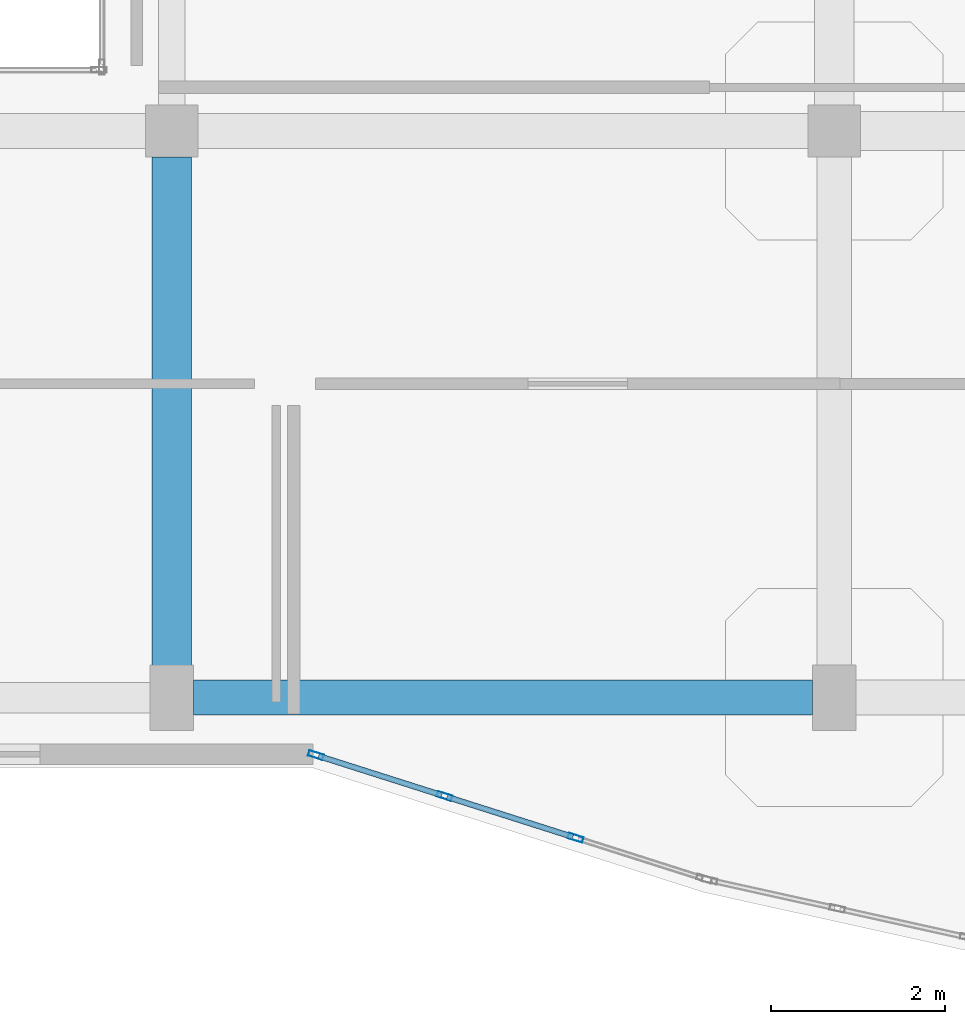
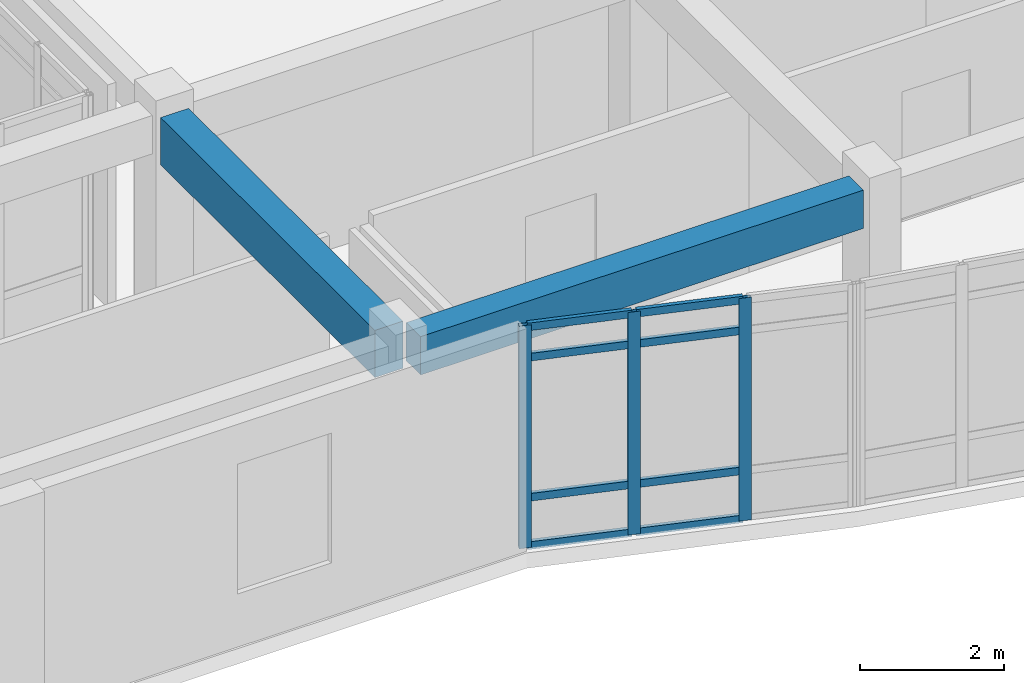
# One storey, part 43 of 91: 11 members, 2 beams, 1 element without a shape of its own.
"""IFC4 building model written with IfcOpenShell, lengths in metres."""

import ifcopenshell
import ifcopenshell.guid

model = None  # the IFC model being written
_history = None  # IfcOwnerHistory: only IFC2X3 demands one
_inside = {}  # id of a spatial element -> (the spatial element, [elements in it])
_under = {}  # id of a project, library or spatial element -> (it, [spatial elements below it])
_declared = {}  # id of a project -> (the project, [libraries it declares])
_typed = {}  # id of a type object -> (the type object, [elements of that type])
_made_of = {}  # id of a material, layer set ... -> (it, [elements and type objects made of it])


def new_model(schema):
    """Start an empty IFC model of exactly this schema.

    Asked for "IFC4X3", IfcOpenShell would pick the latest addendum, in which some entities
    have other attributes; the version numbers below select the first issue.
    IFC2X3 requires an IfcOwnerHistory on every rooted entity: one is made here for all.
    """
    global model, _history
    if schema == "IFC4X3":
        model = ifcopenshell.file(schema_version=(4, 3, 0, 0))
    else:
        model = ifcopenshell.file(schema=schema)
    _inside.clear()
    _under.clear()
    _declared.clear()
    _typed.clear()
    _made_of.clear()
    _history = None
    if model.schema == "IFC2X3":
        org = make("IfcOrganization", Name="unknown")
        user = make(
            "IfcPersonAndOrganization",
            ThePerson=make("IfcPerson", FamilyName="unknown"),
            TheOrganization=org,
        )
        app = make(
            "IfcApplication",
            ApplicationDeveloper=org,
            Version="unknown",
            ApplicationFullName="unknown",
            ApplicationIdentifier="unknown",
        )
        _history = make(
            "IfcOwnerHistory",
            OwningUser=user,
            OwningApplication=app,
            ChangeAction="ADDED",
            CreationDate=0,
        )
    return model


def make(cls, **values):
    """One entity of the class cls with the attributes given. An attribute that is None is left unset."""
    return model.create_entity(
        cls, **{name: value for name, value in values.items() if value is not None}
    )


def rooted(cls, **values):
    """An entity with a GlobalId (a new one), such as an element, a storey or a relation."""
    return make(cls, GlobalId=ifcopenshell.guid.new(), OwnerHistory=_history, **values)


def si_unit(unit_type, name, prefix=None):
    """IfcSIUnit, for example si_unit("LENGTHUNIT", "METRE", prefix="MILLI")."""
    return make("IfcSIUnit", UnitType=unit_type, Prefix=prefix, Name=name)


def assignment(units):
    """IfcUnitAssignment: the units of a project."""
    return None if units is None else make("IfcUnitAssignment", Units=units)


def point(xyz):
    """IfcCartesianPoint."""
    return None if xyz is None else make("IfcCartesianPoint", Coordinates=xyz)


def direction(xyz):
    """IfcDirection."""
    return None if xyz is None else make("IfcDirection", DirectionRatios=xyz)


def frame(location, z_axis=None, x_axis=None):
    """IfcAxis2Placement3D, a coordinate frame: its origin and axes. An axis left out is left unset."""
    return make(
        "IfcAxis2Placement3D",
        Location=point(location),
        Axis=direction(z_axis),
        RefDirection=direction(x_axis),
    )


def frame_2d(location, x_axis=None):
    """IfcAxis2Placement2D, a coordinate frame in the plane: its origin and x axis."""
    return make(
        "IfcAxis2Placement2D", Location=point(location), RefDirection=direction(x_axis)
    )


def origin():
    """The frame at (0, 0, 0) with its axes left unset."""
    return frame((0.0, 0.0, 0.0))


def origin_2d():
    """The frame at (0, 0) in the plane with its x axis left unset."""
    return frame_2d((0.0, 0.0))


def place(relative_to, where):
    """IfcLocalPlacement: puts the frame where relative to a parent placement (None: the world)."""
    return make(
        "IfcLocalPlacement", PlacementRelTo=relative_to, RelativePlacement=where
    )


def context(
    kind, dimensions, precision=None, world=None, true_north=None, identifier=None
):
    """IfcGeometricRepresentationContext, for example the 3D "Model" context."""
    return make(
        "IfcGeometricRepresentationContext",
        ContextIdentifier=identifier,
        ContextType=kind,
        CoordinateSpaceDimension=dimensions,
        Precision=precision,
        WorldCoordinateSystem=world,
        TrueNorth=true_north,
    )


def subcontext(parent, identifier, kind, view, scale=None):
    """IfcGeometricRepresentationSubContext, for example "Body" below "Model"."""
    return make(
        "IfcGeometricRepresentationSubContext",
        ContextIdentifier=identifier,
        ContextType=kind,
        ParentContext=parent,
        TargetScale=scale,
        TargetView=view,
    )


def project(units=None, contexts=None):
    """IfcProject with its units and contexts."""
    return rooted(
        "IfcProject",
        Name="project",
        RepresentationContexts=contexts,
        UnitsInContext=assignment(units),
    )


def spatial(cls, under=None, at=None, **own):
    """A site, building, storey or space (cls), placed at a placement, below another one or the project."""
    s = rooted(cls, ObjectPlacement=at, **own)
    if under is not None:
        _under.setdefault(under.id(), (under, []))[1].append(s)
    return s


def profile(cls, at=None, kind="AREA", **sizes):
    """A parametric profile (cls). Its sizes go by their IFC names, for example OverallWidth=200.0."""
    return make(cls, ProfileType=kind, Position=at, **sizes)


def rectangle(**sizes):
    """IfcRectangleProfileDef."""
    return profile("IfcRectangleProfileDef", **sizes)


def hollow_rectangle(**sizes):
    """IfcRectangleHollowProfileDef."""
    return profile("IfcRectangleHollowProfileDef", **sizes)


def extrude(swept, where, along, depth):
    """IfcExtrudedAreaSolid: the profile swept, set in the frame where, extruded along a direction by depth."""
    return make(
        "IfcExtrudedAreaSolid",
        SweptArea=swept,
        Position=where,
        ExtrudedDirection=direction(along),
        Depth=depth,
    )


def shape(context_of_items, identifier, shape_type, items):
    """IfcShapeRepresentation: the items that make up one representation, for example the "Body"."""
    return make(
        "IfcShapeRepresentation",
        ContextOfItems=context_of_items,
        RepresentationIdentifier=identifier,
        RepresentationType=shape_type,
        Items=items,
    )


def material(Name=None, Category=None):
    """IfcMaterial."""
    return make("IfcMaterial", Name=Name, Category=Category)


def layer(
    of_material, thickness, ventilated=None, Name=None, Category=None, Priority=None
):
    """IfcMaterialLayer: one layer of a wall or slab, of a material (None: an air gap)."""
    return make(
        "IfcMaterialLayer",
        Material=of_material,
        LayerThickness=thickness,
        IsVentilated=ventilated,
        Name=Name,
        Category=Category,
        Priority=Priority,
    )


def layer_set(layers, Name=None):
    """IfcMaterialLayerSet."""
    return make("IfcMaterialLayerSet", MaterialLayers=layers, LayerSetName=Name)


def material_profile(
    of_material, cross_section, Name=None, Category=None, Priority=None
):
    """IfcMaterialProfile: a cross section and its material."""
    return make(
        "IfcMaterialProfile",
        Name=Name,
        Material=of_material,
        Profile=cross_section,
        Priority=Priority,
        Category=Category,
    )


def profile_set(profiles, Name=None, composite=None):
    """IfcMaterialProfileSet."""
    return make(
        "IfcMaterialProfileSet",
        Name=Name,
        MaterialProfiles=profiles,
        CompositeProfile=composite,
    )


def made_of(thing, what):
    """Note that an element or type object is made of a material, layer set ...; save() writes the relation."""
    if what is not None:
        _made_of.setdefault(what.id(), (what, []))[1].append(thing)
    return thing


def type_object(cls, material=None, **own):
    """A type object (cls), such as IfcWallType, which elements share."""
    return made_of(rooted(cls, **own), material)


def element(
    cls,
    number,
    at=None,
    inside=None,
    cuts=None,
    type_object=None,
    material=None,
    context=None,
    identifier="Body",
    shape_type=None,
    held_by="IfcProductDefinitionShape",
    body=None,
    shapes=None,
    **own,
):
    """One element of the class cls, such as IfcWall. Its Tag is "e" and its number.

    at: its placement. inside: the storey or other place that contains it. cuts: it is an
    opening in that element (IfcRelVoidsElement). A single representation is given by context,
    identifier, shape_type and body (its items); several are given by shapes. held_by: the class
    of the entity that holds the representations. save() writes the other relations.
    """
    e = rooted(cls, Tag="e%d" % number, ObjectPlacement=at, **own)
    if body is not None:
        shapes = [shape(context, identifier, shape_type, body)]
    if shapes is not None:
        e.Representation = make(held_by, Representations=shapes)
    if inside is not None:
        _inside.setdefault(inside.id(), (inside, []))[1].append(e)
    if cuts is not None:
        rooted(
            "IfcRelVoidsElement", RelatingBuildingElement=cuts, RelatedOpeningElement=e
        )
    if type_object is not None:
        _typed.setdefault(type_object.id(), (type_object, []))[1].append(e)
    return made_of(e, material)


def aggregate(whole, parts):
    """IfcRelAggregates: a whole, such as a stair, and the parts it consists of."""
    return rooted("IfcRelAggregates", RelatingObject=whole, RelatedObjects=parts)


def save(model, path):
    """Write the relations noted so far, then the file.

    IfcRelAggregates (storeys below a building ...), IfcRelContainedInSpatialStructure (elements
    in a storey), IfcRelDefinesByType, IfcRelAssociatesMaterial and IfcRelDeclares: one each for
    every whole, place, type object, material and project.
    """
    for whole, parts in _under.values():
        aggregate(whole, parts)
    for where, things in _inside.values():
        rooted(
            "IfcRelContainedInSpatialStructure",
            RelatedElements=things,
            RelatingStructure=where,
        )
    for kind, things in _typed.values():
        rooted("IfcRelDefinesByType", RelatedObjects=things, RelatingType=kind)
    for what, things in _made_of.values():
        rooted("IfcRelAssociatesMaterial", RelatedObjects=things, RelatingMaterial=what)
    for by, libraries in _declared.values():
        rooted("IfcRelDeclares", RelatingContext=by, RelatedDefinitions=libraries)
    model.write(path)


model = new_model("IFC4")

# Units and contexts
model_context = context("Model", 3, precision=1e-05, world=origin(), true_north=direction((0.0, 1.0)))
body_context = subcontext(model_context, "Body", "Model", "MODEL_VIEW")
ifc_project = project(units=[si_unit("LENGTHUNIT", "METRE"), si_unit("AREAUNIT", "SQUARE_METRE"), si_unit("VOLUMEUNIT", "CUBIC_METRE"), si_unit("PLANEANGLEUNIT", "RADIAN"), si_unit("MASSUNIT", "GRAM", prefix="KILO")], contexts=[model_context])

# Site, building, storey
site_placement = place(None, origin())
site = spatial("IfcSite", under=ifc_project, at=site_placement, CompositionType="ELEMENT")
building_placement = place(site_placement, origin())
building = spatial("IfcBuilding", under=site, at=building_placement, Name="Valcora Specialist Clinic", CompositionType="ELEMENT")
storey_placement = place(building_placement, frame((0.0, 0.0, 13.60009765625)))
storey = spatial("IfcBuildingStorey", under=building, at=storey_placement, Name="L03", CompositionType="ELEMENT", Elevation=13.60009765625)

# Beams
ifc_material_1 = material(Name="Concrete C40/50", Category="concrete")
ifc_material_profile_1 = material_profile(ifc_material_1, rectangle(XDim=0.39990234375, YDim=0.64990234375, at=origin_2d()), Name="RC-BM-400X650")
ifc_profile_set_1 = profile_set([ifc_material_profile_1], Name="Concrete C40/50")
beam_type_1 = type_object("IfcBeamType", Name="TY-BM-RC400X650", PredefinedType="BEAM", material=ifc_profile_set_1)
beam_1_placement = place(storey_placement, frame((91.050048828125, 74.800048828125, 3.449951171875), z_axis=(1.0, 0.0, 0.0), x_axis=(0.0, 1.0, 0.0)))
element("IfcBeam", 1, at=beam_1_placement, inside=storey, type_object=beam_type_1, Name="Beam BM-L03-0771", PredefinedType="BEAM", context=body_context, shape_type="SweptSolid", body=[
    extrude(rectangle(XDim=0.39990234375, YDim=0.64990234375, at=origin_2d()), origin(), (0.0, 0.0, 1.0), 7.099853515625),
])
ifc_material_profile_2 = material_profile(ifc_material_1, rectangle(XDim=0.449951171875, YDim=0.800048828125, at=origin_2d()), Name="RC-BM-450X800")
ifc_profile_set_2 = profile_set([ifc_material_profile_2], Name="Concrete C40/50")
beam_type_2 = type_object("IfcBeamType", Name="TY-BM-RC450X800", PredefinedType="BEAM", material=ifc_profile_set_2)
beam_2_placement = place(storey_placement, frame((90.800048828125, 75.050048828125, 3.375), z_axis=(0.0, 1.0, 0.0), x_axis=(-1.0, 0.0, 0.0)))
element("IfcBeam", 2, at=beam_2_placement, inside=storey, type_object=beam_type_2, Name="Beam BM-L03-0814", PredefinedType="BEAM", context=body_context, shape_type="SweptSolid", body=[
    extrude(rectangle(XDim=0.449951171875, YDim=0.800048828125, at=origin_2d()), origin(), (0.0, 0.0, 1.0), 5.949951171875),
])

# Curtain wall, members
ifc_material_2 = material(Name="Anodized Bronze Aluminium 6063-T6", Category="aluminium")
ifc_layer = layer(ifc_material_2, 0.175048828125)
ifc_layer_set = layer_set([ifc_layer], Name="Anodized Bronze Aluminium 6063-T6")
curtain_wall_type = type_object("IfcCurtainWallType", Name="TY-CW-ARC40", PredefinedType="NOTDEFINED", material=ifc_layer_set)
curtain_wall_placement = place(storey_placement, origin())
curtain_wall = element("IfcCurtainWall", 3, at=curtain_wall_placement, inside=storey, type_object=curtain_wall_type, Name="Curtain wall CW-L03-124", PredefinedType="NOTDEFINED")
ifc_material_profile_3 = material_profile(ifc_material_2, hollow_rectangle(XDim=0.06494140625, YDim=0.175048828125, WallThickness=0.00390625, at=origin_2d()), Name="AL-MUL-65X175")
ifc_profile_set_3 = profile_set([ifc_material_profile_3], Name="Anodized Bronze Aluminium 6063-T6")
member_type_1 = type_object("IfcMemberType", Name="TY-CWM-65X175", PredefinedType="MULLION", material=ifc_profile_set_3)
member_1_placement = place(storey_placement, frame((95.433837890625, 73.19189453125, 0.0), z_axis=(0.0, 0.0, 1.0), x_axis=(-0.303233270958, -0.952916356972, 0.0)))
member_1 = element("IfcMember", 4, at=member_1_placement, type_object=member_type_1, Name="CW-ARC-40 mullion 2", PredefinedType="MULLION", context=body_context, shape_type="SweptSolid", body=[
    extrude(hollow_rectangle(XDim=0.06494140625, YDim=0.175048828125, WallThickness=0.00390625, at=origin_2d()), origin(), (0.0, 0.0, 1.0), 3.77490234375),
])
member_2_placement = place(storey_placement, frame((93.928466796875, 73.6708984375, 0.0), z_axis=(0.0, 0.0, 1.0), x_axis=(-0.303233270958, -0.952916356972, 0.0)))
member_2 = element("IfcMember", 5, at=member_2_placement, type_object=member_type_1, Name="CW-ARC-40 mullion 3", PredefinedType="MULLION", context=body_context, shape_type="SweptSolid", body=[
    extrude(hollow_rectangle(XDim=0.06494140625, YDim=0.175048828125, WallThickness=0.00390625, at=origin_2d()), origin(), (0.0, 0.0, 1.0), 3.77490234375),
])
member_3_placement = place(storey_placement, frame((92.454345703125, 74.14013671875, 0.0), z_axis=(0.0, 0.0, 1.0), x_axis=(-0.303233270958, -0.952916356972, 0.0)))
member_3 = element("IfcMember", 6, at=member_3_placement, type_object=member_type_1, Name="CW-ARC-40 mullion 4", PredefinedType="MULLION", context=body_context, shape_type="SweptSolid", body=[
    extrude(hollow_rectangle(XDim=0.06494140625, YDim=0.175048828125, WallThickness=0.00390625, at=origin_2d()), origin(), (0.0, 0.0, 1.0), 3.77490234375),
])
ifc_material_profile_4 = material_profile(ifc_material_2, hollow_rectangle(XDim=0.06494140625, YDim=0.1298828125, WallThickness=0.00390625, at=origin_2d()), Name="AL-TRN-65X130")
ifc_profile_set_4 = profile_set([ifc_material_profile_4], Name="Anodized Bronze Aluminium 6063-T6")
member_type_2 = type_object("IfcMemberType", Name="TY-CWT-65X130", PredefinedType="USERDEFINED", material=ifc_profile_set_4)
member_4_placement = place(storey_placement, frame((95.40283203125, 73.201904296875, 0.032470703125), z_axis=(-0.952930013692, 0.303190351109, 0.0), x_axis=(-0.303190351109, -0.952930013692, 0.0)))
member_4 = element("IfcMember", 7, at=member_4_placement, type_object=member_type_2, Name="CW-ARC-40 transom 2.1", ObjectType="TRANSOM", PredefinedType="USERDEFINED", context=body_context, shape_type="SweptSolid", body=[
    extrude(hollow_rectangle(XDim=0.06494140625, YDim=0.1298828125, WallThickness=0.00390625, at=origin_2d()), origin(), (0.0, 0.0, 1.0), 1.5146484375),
])
member_5_placement = place(storey_placement, frame((95.40283203125, 73.201904296875, 0.849853515625), z_axis=(-0.952930013692, 0.303190351109, 0.0), x_axis=(-0.303190351109, -0.952930013692, 0.0)))
member_5 = element("IfcMember", 8, at=member_5_placement, type_object=member_type_2, Name="CW-ARC-40 transom 2.2", ObjectType="TRANSOM", PredefinedType="USERDEFINED", context=body_context, shape_type="SweptSolid", body=[
    extrude(hollow_rectangle(XDim=0.06494140625, YDim=0.1298828125, WallThickness=0.00390625, at=origin_2d()), origin(), (0.0, 0.0, 1.0), 1.5146484375),
])
member_6_placement = place(storey_placement, frame((95.40283203125, 73.201904296875, 3.224853515625), z_axis=(-0.952930013692, 0.303190351109, 0.0), x_axis=(-0.303190351109, -0.952930013692, 0.0)))
member_6 = element("IfcMember", 9, at=member_6_placement, type_object=member_type_2, Name="CW-ARC-40 transom 2.3", ObjectType="TRANSOM", PredefinedType="USERDEFINED", context=body_context, shape_type="SweptSolid", body=[
    extrude(hollow_rectangle(XDim=0.06494140625, YDim=0.1298828125, WallThickness=0.00390625, at=origin_2d()), origin(), (0.0, 0.0, 1.0), 1.5146484375),
])
member_7_placement = place(storey_placement, frame((95.40283203125, 73.201904296875, 3.742431640625), z_axis=(-0.952930013692, 0.303190351109, 0.0), x_axis=(-0.303190351109, -0.952930013692, 0.0)))
member_7 = element("IfcMember", 10, at=member_7_placement, type_object=member_type_2, Name="CW-ARC-40 transom 2.4", ObjectType="TRANSOM", PredefinedType="USERDEFINED", context=body_context, shape_type="SweptSolid", body=[
    extrude(hollow_rectangle(XDim=0.06494140625, YDim=0.1298828125, WallThickness=0.00390625, at=origin_2d()), origin(), (0.0, 0.0, 1.0), 1.5146484375),
])
member_8_placement = place(storey_placement, frame((93.897705078125, 73.680908203125, 0.032470703125), z_axis=(-0.952910635624, 0.303251249816, 0.0), x_axis=(-0.303251249816, -0.952910635624, 0.0)))
member_8 = element("IfcMember", 11, at=member_8_placement, type_object=member_type_2, Name="CW-ARC-40 transom 3.1", ObjectType="TRANSOM", PredefinedType="USERDEFINED", context=body_context, shape_type="SweptSolid", body=[
    extrude(hollow_rectangle(XDim=0.06494140625, YDim=0.1298828125, WallThickness=0.00390625, at=origin_2d()), origin(), (0.0, 0.0, 1.0), 1.482177734375),
])
member_9_placement = place(storey_placement, frame((93.897705078125, 73.680908203125, 0.849853515625), z_axis=(-0.952910635624, 0.303251249816, 0.0), x_axis=(-0.303251249816, -0.952910635624, 0.0)))
member_9 = element("IfcMember", 12, at=member_9_placement, type_object=member_type_2, Name="CW-ARC-40 transom 3.2", ObjectType="TRANSOM", PredefinedType="USERDEFINED", context=body_context, shape_type="SweptSolid", body=[
    extrude(hollow_rectangle(XDim=0.06494140625, YDim=0.1298828125, WallThickness=0.00390625, at=origin_2d()), origin(), (0.0, 0.0, 1.0), 1.482177734375),
])
member_10_placement = place(storey_placement, frame((93.897705078125, 73.680908203125, 3.224853515625), z_axis=(-0.952910635624, 0.303251249816, 0.0), x_axis=(-0.303251249816, -0.952910635624, 0.0)))
member_10 = element("IfcMember", 13, at=member_10_placement, type_object=member_type_2, Name="CW-ARC-40 transom 3.3", ObjectType="TRANSOM", PredefinedType="USERDEFINED", context=body_context, shape_type="SweptSolid", body=[
    extrude(hollow_rectangle(XDim=0.06494140625, YDim=0.1298828125, WallThickness=0.00390625, at=origin_2d()), origin(), (0.0, 0.0, 1.0), 1.482177734375),
])
member_11_placement = place(storey_placement, frame((93.897705078125, 73.680908203125, 3.742431640625), z_axis=(-0.952910635624, 0.303251249816, 0.0), x_axis=(-0.303251249816, -0.952910635624, 0.0)))
member_11 = element("IfcMember", 14, at=member_11_placement, type_object=member_type_2, Name="CW-ARC-40 transom 3.4", ObjectType="TRANSOM", PredefinedType="USERDEFINED", context=body_context, shape_type="SweptSolid", body=[
    extrude(hollow_rectangle(XDim=0.06494140625, YDim=0.1298828125, WallThickness=0.00390625, at=origin_2d()), origin(), (0.0, 0.0, 1.0), 1.482177734375),
])
aggregate(curtain_wall, [member_1, member_2, member_3, member_4, member_5, member_6, member_7, member_8, member_9, member_10, member_11])

save(model, "model.ifc")
